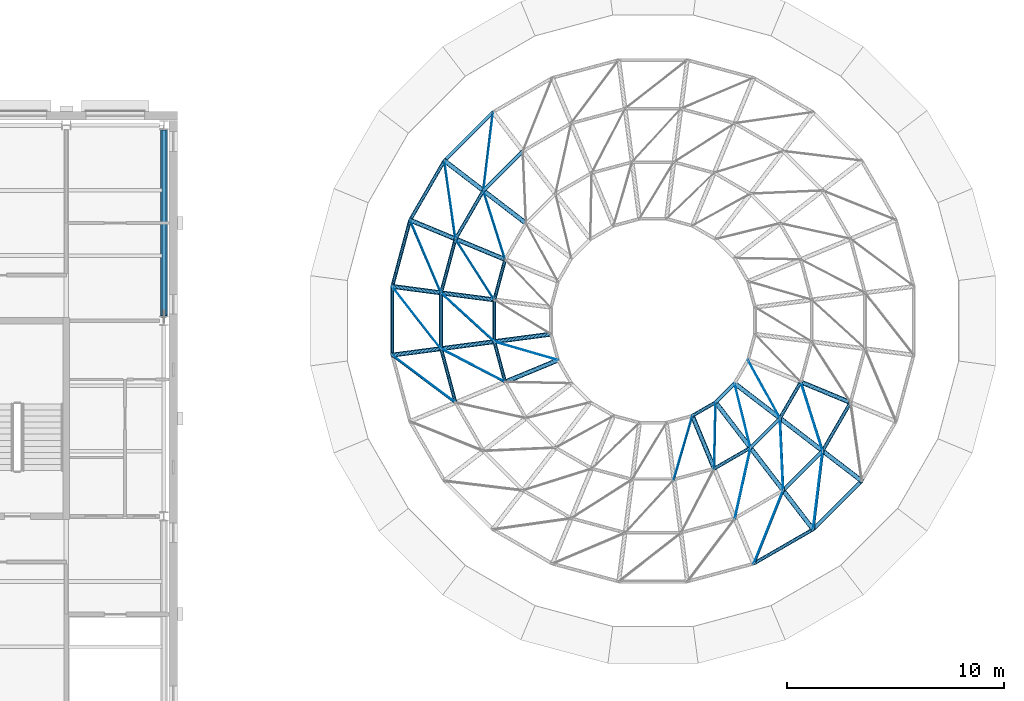
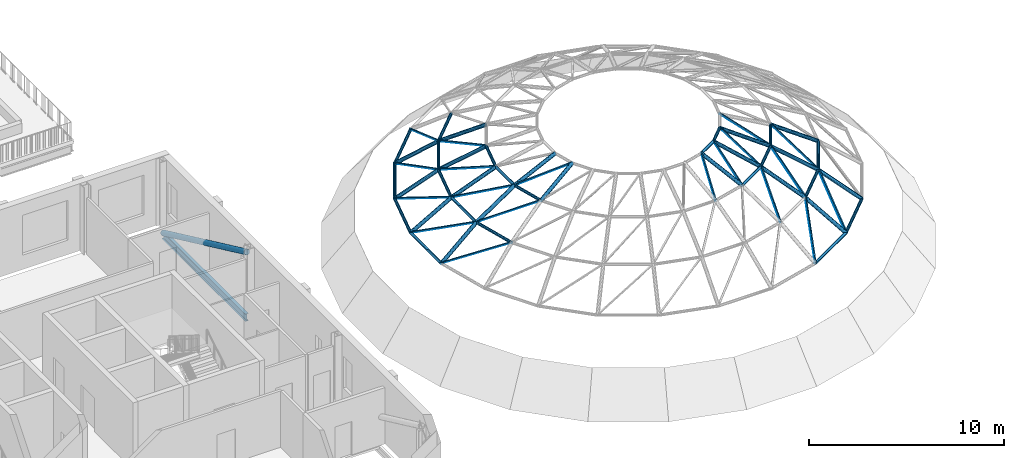
# One storey, part 4 of 33: 60 members, 19 beams.
"""IFC4 building model written with IfcOpenShell, lengths in metres."""

from ifc_helpers import new_model, si_unit, direction, frame, origin, origin_2d, place, context, subcontext, project, spatial, rectangle, circle, hollow_circle, i_section, extrude, material, material_profile, profile_set, type_object, element, save


model = new_model("IFC4")

# Units and contexts
model_context = context("Model", 3, precision=1e-05, world=origin(), true_north=direction((0.0, 1.0)))
body_context = subcontext(model_context, "Body", "Model", "MODEL_VIEW")
ifc_project = project(units=[si_unit("LENGTHUNIT", "METRE"), si_unit("AREAUNIT", "SQUARE_METRE"), si_unit("VOLUMEUNIT", "CUBIC_METRE"), si_unit("PLANEANGLEUNIT", "RADIAN"), si_unit("MASSUNIT", "GRAM", prefix="KILO")], contexts=[model_context])

# Site, building, storey
site_placement = place(None, origin())
site = spatial("IfcSite", under=ifc_project, at=site_placement, CompositionType="ELEMENT")
building_placement = place(site_placement, origin())
building = spatial("IfcBuilding", under=site, at=building_placement, Name="Hortulan Conservatory and Botanical Research Centre", CompositionType="ELEMENT")
storey_placement = place(building_placement, frame((0.0, 0.0, 19.199951171875)))
storey = spatial("IfcBuildingStorey", under=building, at=storey_placement, Name="L04", CompositionType="ELEMENT", Elevation=19.199951171875)

# Members
ifc_material_1 = material(Name="Steel Grade C350L0 (350 MPa, AS/NZS 1163)", Category="steel")
ifc_material_profile_1 = material_profile(ifc_material_1, hollow_circle(Radius=0.161865234375, WallThickness=0.009521484375, at=origin_2d()), Name="323.9x9.5CHS")
ifc_profile_set_1 = profile_set([ifc_material_profile_1], Name="Steel Grade C350L0 (350 MPa, AS/NZS 1163)")
member_type_1 = type_object("IfcMemberType", Name="Brace 323.9x9.5CHS", PredefinedType="BRACE", material=ifc_profile_set_1)
member_1_placement = place(storey_placement, frame((31.5, 26.7890625, -0.261474609375), z_axis=(0.0, -0.906191046553, 0.422868522293), x_axis=(1.0, 0.0, 0.0)))
element("IfcMember", 1, at=member_1_placement, inside=storey, type_object=member_type_1, Name="323.9x9.5CHS brace", PredefinedType="BRACE", context=body_context, shape_type="SweptSolid", body=[
    extrude(hollow_circle(Radius=0.161865234375, WallThickness=0.009521484375, at=origin_2d()), origin(), (0.0, 0.0, 1.0), 9.466064453125),
])
ifc_material_2 = material(Name="Steel Grade 300PLUS (AS/NZS 3679.1, 280 MPa minimum yield)", Category="steel")
ifc_material_profile_2 = material_profile(ifc_material_2, circle(Radius=0.011962890625, at=origin_2d()), Name="24 dia rod")
ifc_profile_set_2 = profile_set([ifc_material_profile_2], Name="Steel Grade 300PLUS (AS/NZS 3679.1, 280 MPa minimum yield)")
member_type_2 = type_object("IfcMemberType", Name="Dome Diagonal Rod 24 dia rod", PredefinedType="BRACE", material=ifc_profile_set_2)
for number, where, z_axis, x_axis, name in (
    (2, (46.634033203125, 27.599609375, 0.4365234375), (-0.110344688701, -0.907612681424, 0.405047244398), (0.992690467246, -0.120688177707, 0.0), "Dome diagonal rod row 5 panel 09"),
    (3, (44.400390625, 25.365966796875, 0.4365234375), (0.128389723869, -0.905233473745, 0.40505362215), (0.990091297131, 0.140425152108, 0.0), "Dome diagonal rod row 5 panel 10"),
):
    element("IfcMember", number, at=place(storey_placement, frame(where, z_axis=z_axis, x_axis=x_axis)), inside=storey, type_object=member_type_2, Name=name, PredefinedType="BRACE", context=body_context, shape_type="SweptSolid", body=[
        extrude(circle(Radius=0.011962890625, at=origin_2d()), origin(), (0.0, 0.0, 1.0), 3.97802734375),
    ])
for number, where, z_axis, x_axis, name in (
    (4, (42.821044921875, 22.630615234375, 0.4365234375), (0.35827138585, -0.841182919809, 0.405034454712), (0.920028012048, 0.39185259607, 0.0), "Dome diagonal rod row 5 panel 11"),
    (5, (42.00341796875, 19.579345703125, 0.4365234375), (0.563788980765, -0.719786759049, 0.405029636774), (0.787251404605, 0.616632164217, 0.0), "Dome diagonal rod row 5 panel 12"),
):
    element("IfcMember", number, at=place(storey_placement, frame(where, z_axis=z_axis, x_axis=x_axis)), inside=storey, type_object=member_type_2, Name=name, PredefinedType="BRACE", context=body_context, shape_type="SweptSolid", body=[
        extrude(circle(Radius=0.011962890625, at=origin_2d()), origin(), (0.0, 0.0, 1.0), 3.978271484375),
    ])
member_2_placement = place(storey_placement, frame((42.00341796875, 16.420654296875, 0.4365234375), z_axis=(0.730872378589, -0.549350926375, 0.405017439016), x_axis=(0.600837299522, 0.799371340181, 0.0)))
element("IfcMember", 6, at=member_2_placement, inside=storey, type_object=member_type_2, Name="Dome diagonal rod row 5 panel 13", PredefinedType="BRACE", context=body_context, shape_type="SweptSolid", body=[
    extrude(circle(Radius=0.011962890625, at=origin_2d()), origin(), (0.0, 0.0, 1.0), 3.978515625),
])
for number, where, z_axis, x_axis, name in (
    (7, (58.630615234375, 6.821044921875, 0.4365234375), (0.341465062104, 0.848139316729, 0.405044825645), (-0.927641101877, 0.373472871986, 0.0), "Dome diagonal rod row 5 panel 20"),
    (8, (61.365966796875, 8.400390625, 0.4365234375), (0.110344688701, 0.907612681424, 0.405047244398), (-0.992690467246, 0.120688177707, 0.0), "Dome diagonal rod row 5 panel 21"),
):
    element("IfcMember", number, at=place(storey_placement, frame(where, z_axis=z_axis, x_axis=x_axis)), inside=storey, type_object=member_type_2, Name=name, PredefinedType="BRACE", context=body_context, shape_type="SweptSolid", body=[
        extrude(circle(Radius=0.011962890625, at=origin_2d()), origin(), (0.0, 0.0, 1.0), 3.97802734375),
    ])
member_3_placement = place(storey_placement, frame((46.195068359375, 23.989013671875, 2.0478515625), z_axis=(0.281474260176, -0.891438110502, 0.355120171215), x_axis=(0.953592651353, 0.301099743086, 0.0)))
element("IfcMember", 9, at=member_3_placement, inside=storey, type_object=member_type_2, Name="Dome diagonal rod row 6 panel 10", PredefinedType="BRACE", context=body_context, shape_type="SweptSolid", body=[
    extrude(circle(Radius=0.011962890625, at=origin_2d()), origin(), (0.0, 0.0, 1.0), 3.55712890625),
])
member_4_placement = place(storey_placement, frame((44.9111328125, 21.764892578125, 2.0478515625), z_axis=(0.502512644571, -0.788260512259, 0.355142797843), x_axis=(0.8432288622, 0.537554728332, 0.0)))
element("IfcMember", 10, at=member_4_placement, inside=storey, type_object=member_type_2, Name="Dome diagonal rod row 6 panel 11", PredefinedType="BRACE", context=body_context, shape_type="SweptSolid", body=[
    extrude(circle(Radius=0.011962890625, at=origin_2d()), origin(), (0.0, 0.0, 1.0), 3.556884765625),
])
member_5_placement = place(storey_placement, frame((44.246337890625, 19.2841796875, 2.0478515625), z_axis=(0.689439455028, -0.631299747898, 0.355153299513), x_axis=(0.675325519699, 0.737519791221, 0.0)))
element("IfcMember", 11, at=member_5_placement, inside=storey, type_object=member_type_2, Name="Dome diagonal rod row 6 panel 12", PredefinedType="BRACE", context=body_context, shape_type="SweptSolid", body=[
    extrude(circle(Radius=0.011962890625, at=origin_2d()), origin(), (0.0, 0.0, 1.0), 3.556640625),
])
member_6_placement = place(storey_placement, frame((44.246337890625, 16.7158203125, 2.0478515625), z_axis=(0.82938424566, -0.431268825249, 0.355146411243), x_axis=(0.461343488851, 0.887221610025, 0.0)))
element("IfcMember", 12, at=member_6_placement, inside=storey, type_object=member_type_2, Name="Dome diagonal rod row 6 panel 13", PredefinedType="BRACE", context=body_context, shape_type="SweptSolid", body=[
    extrude(circle(Radius=0.011962890625, at=origin_2d()), origin(), (0.0, 0.0, 1.0), 3.556884765625),
])
member_7_placement = place(storey_placement, frame((57.764892578125, 8.9111328125, 2.0478515625), z_axis=(0.201945089314, 0.912734144324, 0.355154280118), x_axis=(-0.976387061882, 0.21602848282, 0.0)))
element("IfcMember", 13, at=member_7_placement, inside=storey, type_object=member_type_2, Name="Dome diagonal rod row 6 panel 20", PredefinedType="BRACE", context=body_context, shape_type="SweptSolid", body=[
    extrude(circle(Radius=0.011962890625, at=origin_2d()), origin(), (0.0, 0.0, 1.0), 3.556640625),
])
member_8_placement = place(storey_placement, frame((59.989013671875, 10.195068359375, 2.0478515625), z_axis=(-0.041183552662, 0.933905695873, 0.355139502458), x_axis=(-0.999029090563, -0.044055376623, 0.0)))
element("IfcMember", 14, at=member_8_placement, inside=storey, type_object=member_type_2, Name="Dome diagonal rod row 6 panel 21", PredefinedType="BRACE", context=body_context, shape_type="SweptSolid", body=[
    extrude(circle(Radius=0.011962890625, at=origin_2d()), origin(), (0.0, 0.0, 1.0), 3.556884765625),
])
member_9_placement = place(storey_placement, frame((61.804931640625, 12.010986328125, 2.0478515625), z_axis=(-0.281474260176, 0.891438110502, 0.355120171215), x_axis=(-0.953592651353, -0.301099743086, 0.0)))
element("IfcMember", 15, at=member_9_placement, inside=storey, type_object=member_type_2, Name="Dome diagonal rod row 6 panel 22", PredefinedType="BRACE", context=body_context, shape_type="SweptSolid", body=[
    extrude(circle(Radius=0.011962890625, at=origin_2d()), origin(), (0.0, 0.0, 1.0), 3.55712890625),
])
for number, where, z_axis, x_axis, name in (
    (16, (46.698486328125, 17.038818359375, 3.31103515625), (0.922011365203, -0.267626173194, 0.279770037457), (0.278757796425, 0.960361437654, 0.0), "Dome diagonal rod row 7 panel 13"),
    (17, (54.961181640625, 10.698486328125, 3.31103515625), (0.267626173194, 0.922011365203, 0.279770037457), (-0.960361437654, 0.278757796425, 0.0), "Dome diagonal rod row 7 panel 19"),
):
    element("IfcMember", number, at=place(storey_placement, frame(where, z_axis=z_axis, x_axis=x_axis)), inside=storey, type_object=member_type_2, Name=name, PredefinedType="BRACE", context=body_context, shape_type="SweptSolid", body=[
        extrude(circle(Radius=0.011962890625, at=origin_2d()), origin(), (0.0, 0.0, 1.0), 3.176513671875),
    ])
for number, where, z_axis, x_axis, name in (
    (18, (56.818115234375, 11.1962890625, 3.31103515625), (0.019907367786, 0.95985794945, 0.279779222934), (-0.999784997419, 0.02073545118, 0.0), "Dome diagonal rod row 7 panel 20"),
    (19, (58.483154296875, 12.157470703125, 3.31103515625), (-0.229284874012, 0.932281675123, 0.279784425546), (-0.971063171012, -0.238822775095, 0.0), "Dome diagonal rod row 7 panel 21"),
    (20, (59.842529296875, 13.516845703125, 3.31103515625), (-0.462719567764, 0.841196503257, 0.279783924694), (-0.876188861699, -0.481967922828, 0.0), "Dome diagonal rod row 7 panel 22"),
):
    element("IfcMember", number, at=place(storey_placement, frame(where, z_axis=z_axis, x_axis=x_axis)), inside=storey, type_object=member_type_2, Name=name, PredefinedType="BRACE", context=body_context, shape_type="SweptSolid", body=[
        extrude(circle(Radius=0.011962890625, at=origin_2d()), origin(), (0.0, 0.0, 1.0), 3.17626953125),
    ])
ifc_material_3 = material(Name="Bronze-finished aluminium", Category="aluminium")
ifc_material_profile_3 = material_profile(ifc_material_3, rectangle(XDim=0.050048828125, YDim=0.050048828125, at=origin_2d()), Name="Square bar 50x50")
ifc_profile_set_3 = profile_set([ifc_material_profile_3], Name="Bronze-finished aluminium")
member_type_3 = type_object("IfcMemberType", Name="Dome Glazing Bar 50x50", PredefinedType="MEMBER", material=ifc_profile_set_3)
for number, where, z_axis, x_axis, name in (
    (21, (46.606689453125, 27.63525390625, 0.49072265625), (-0.110362367104, -0.907600541437, 0.405069629953), (0.992687957089, -0.120708822591, 0.0), "Dome glazing bar row 5 panel 09"),
    (22, (44.36474609375, 25.393310546875, 0.49072265625), (0.128340334804, -0.905230422477, 0.405076092463), (0.990098740456, 0.140372661683, 0.0), "Dome glazing bar row 5 panel 10"),
):
    element("IfcMember", number, at=place(storey_placement, frame(where, z_axis=z_axis, x_axis=x_axis)), inside=storey, type_object=member_type_3, Name=name, PredefinedType="MEMBER", context=body_context, shape_type="SweptSolid", body=[
        extrude(rectangle(XDim=0.050048828125, YDim=0.050048828125, at=origin_2d()), origin(), (0.0, 0.0, 1.0), 3.992919921875),
    ])
member_10_placement = place(storey_placement, frame((42.779541015625, 22.647705078125, 0.49072265625), z_axis=(0.358282290024, -0.841168557363, 0.405054636759), x_axis=(0.920021300217, 0.391868354359, 0.0)))
element("IfcMember", 23, at=member_10_placement, inside=storey, type_object=member_type_3, Name="Dome glazing bar row 5 panel 11", PredefinedType="MEMBER", context=body_context, shape_type="SweptSolid", body=[
    extrude(rectangle(XDim=0.050048828125, YDim=0.050048828125, at=origin_2d()), origin(), (0.0, 0.0, 1.0), 3.9931640625),
])
for number, where, z_axis, x_axis, name in (
    (24, (41.958984375, 19.585205078125, 0.49072265625), (0.563791077974, -0.719764512517, 0.405066250036), (0.787241039049, 0.616645397645, 0.0), "Dome glazing bar row 5 panel 12"),
    (25, (41.958984375, 16.414794921875, 0.49072265625), (0.730834494432, -0.549364003386, 0.405068060371), (0.600866339912, 0.799349511516, 0.0), "Dome glazing bar row 5 panel 13"),
    (26, (58.647705078125, 6.779541015625, 0.49072265625), (0.341484848384, 0.848117516908, 0.405073790608), (-0.927630278138, 0.373499755129, 0.0), "Dome glazing bar row 5 panel 20"),
    (27, (61.393310546875, 8.36474609375, 0.49072265625), (0.110362367104, 0.907600541437, 0.405069629953), (-0.992687957089, 0.120708822591, 0.0), "Dome glazing bar row 5 panel 21"),
):
    element("IfcMember", number, at=place(storey_placement, frame(where, z_axis=z_axis, x_axis=x_axis)), inside=storey, type_object=member_type_3, Name=name, PredefinedType="MEMBER", context=body_context, shape_type="SweptSolid", body=[
        extrude(rectangle(XDim=0.050048828125, YDim=0.050048828125, at=origin_2d()), origin(), (0.0, 0.0, 1.0), 3.992919921875),
    ])
for number, where, z_axis, x_axis, name in (
    (28, (46.1669921875, 24.010498046875, 2.10595703125), (0.281429769193, -0.891410841229, 0.355223869061), (0.953603671773, 0.301064838833, 0.0), "Dome glazing bar row 6 panel 10"),
    (29, (44.87841796875, 21.7783203125, 2.10595703125), (0.502538095021, -0.788207885836, 0.355223579959), (0.843200251726, 0.537599605179, 0.0), "Dome glazing bar row 6 panel 11"),
    (30, (44.211181640625, 19.288818359375, 2.10595703125), (0.689449899735, -0.631249139426, 0.35522297185), (0.675290505525, 0.737551851159, 0.0), "Dome glazing bar row 6 panel 12"),
):
    element("IfcMember", number, at=place(storey_placement, frame(where, z_axis=z_axis, x_axis=x_axis)), inside=storey, type_object=member_type_3, Name=name, PredefinedType="MEMBER", context=body_context, shape_type="SweptSolid", body=[
        extrude(rectangle(XDim=0.050048828125, YDim=0.050048828125, at=origin_2d()), origin(), (0.0, 0.0, 1.0), 3.56982421875),
    ])
for number, where, z_axis, x_axis, name in (
    (31, (44.211181640625, 16.711181640625, 2.10595703125), (0.829336596238, -0.431287858806, 0.35523456052), (0.461380380738, 0.887202425758, 0.0), "Dome glazing bar row 6 panel 13"),
    (32, (57.7783203125, 8.87841796875, 2.10595703125), (0.20196352053, 0.912700027592, 0.355231468214), (-0.976381199364, 0.216054978023, 0.0), "Dome glazing bar row 6 panel 20"),
):
    element("IfcMember", number, at=place(storey_placement, frame(where, z_axis=z_axis, x_axis=x_axis)), inside=storey, type_object=member_type_3, Name=name, PredefinedType="MEMBER", context=body_context, shape_type="SweptSolid", body=[
        extrude(rectangle(XDim=0.050048828125, YDim=0.050048828125, at=origin_2d()), origin(), (0.0, 0.0, 1.0), 3.569580078125),
    ])
for number, where, z_axis, x_axis, name in (
    (33, (60.010498046875, 10.1669921875, 2.10595703125), (-0.041171206169, 0.933875116682, 0.35522133695), (-0.999029608316, -0.044043634142, 0.0), "Dome glazing bar row 6 panel 21"),
    (34, (61.8330078125, 11.989501953125, 2.10595703125), (-0.281429769193, 0.891410841229, 0.355223869061), (-0.953603671773, -0.301064838833, 0.0), "Dome glazing bar row 6 panel 22"),
):
    element("IfcMember", number, at=place(storey_placement, frame(where, z_axis=z_axis, x_axis=x_axis)), inside=storey, type_object=member_type_3, Name=name, PredefinedType="MEMBER", context=body_context, shape_type="SweptSolid", body=[
        extrude(rectangle(XDim=0.050048828125, YDim=0.050048828125, at=origin_2d()), origin(), (0.0, 0.0, 1.0), 3.56982421875),
    ])
for number, where, z_axis, x_axis, name in (
    (35, (46.673095703125, 17.035400390625, 3.37255859375), (0.922018199606, -0.267635755539, 0.279738345515), (0.278765095955, 0.960359318837, 0.0), "Dome glazing bar row 7 panel 13"),
    (36, (54.964599609375, 10.673095703125, 3.37255859375), (0.267635755539, 0.922018199606, 0.279738345515), (-0.960359318837, 0.278765095955, 0.0), "Dome glazing bar row 7 panel 19"),
):
    element("IfcMember", number, at=place(storey_placement, frame(where, z_axis=z_axis, x_axis=x_axis)), inside=storey, type_object=member_type_3, Name=name, PredefinedType="MEMBER", context=body_context, shape_type="SweptSolid", body=[
        extrude(rectangle(XDim=0.050048828125, YDim=0.050048828125, at=origin_2d()), origin(), (0.0, 0.0, 1.0), 3.187255859375),
    ])
for number, where, z_axis, x_axis, name in (
    (37, (56.828125, 11.17236328125, 3.37255859375), (0.01983785106, 0.959876252851, 0.279721359353), (-0.999786504039, 0.020662679903, 0.0), "Dome glazing bar row 7 panel 20"),
    (38, (58.498779296875, 12.136962890625, 3.37255859375), (-0.229247562797, 0.932309166176, 0.279723387683), (-0.971073815931, -0.238779488258, 0.0), "Dome glazing bar row 7 panel 21"),
):
    element("IfcMember", number, at=place(storey_placement, frame(where, z_axis=z_axis, x_axis=x_axis)), inside=storey, type_object=member_type_3, Name=name, PredefinedType="MEMBER", context=body_context, shape_type="SweptSolid", body=[
        extrude(rectangle(XDim=0.050048828125, YDim=0.050048828125, at=origin_2d()), origin(), (0.0, 0.0, 1.0), 3.1875),
    ])
member_11_placement = place(storey_placement, frame((59.863037109375, 13.501220703125, 3.37255859375), z_axis=(-0.462731755392, 0.84120512129, 0.279737853119), x_axis=(-0.876185586039, -0.481973877733, 0.0)))
element("IfcMember", 39, at=member_11_placement, inside=storey, type_object=member_type_3, Name="Dome glazing bar row 7 panel 22", PredefinedType="MEMBER", context=body_context, shape_type="SweptSolid", body=[
    extrude(rectangle(XDim=0.050048828125, YDim=0.050048828125, at=origin_2d()), origin(), (0.0, 0.0, 1.0), 3.187255859375),
])

# Beams
ifc_material_profile_4 = material_profile(ifc_material_1, hollow_circle(Radius=0.109619140625, WallThickness=0.00830078125, at=origin_2d()), Name="219.1x8.2CHS")
ifc_profile_set_4 = profile_set([ifc_material_profile_4], Name="Steel Grade C350L0 (350 MPa, AS/NZS 1163)")
beam_type_1 = type_object("IfcBeamType", Name="Dome Rib 219.1x8.2 CHS", PredefinedType="BEAM", material=ifc_profile_set_4)
for number, where, z_axis, x_axis, name in (
    (40, (44.400390625, 25.365966796875, 0.4365234375), (0.646201366495, -0.495793185558, 0.580183515014), (0.608719263835, 0.793385692987, 0.0), "Dome rib 10 segment 5"),
    (41, (46.195068359375, 23.989013671875, 2.0478515625), (0.706546398149, -0.542171956181, 0.454798589702), (0.608775448045, 0.79334258291, 0.0), "Dome rib 10 segment 6"),
):
    element("IfcBeam", number, at=place(storey_placement, frame(where, z_axis=z_axis, x_axis=x_axis)), inside=storey, type_object=beam_type_1, Name=name, PredefinedType="BEAM", context=body_context, shape_type="SweptSolid", body=[
        extrude(hollow_circle(Radius=0.109619140625, WallThickness=0.00830078125, at=origin_2d()), origin(), (0.0, 0.0, 1.0), 2.77734375),
    ])
beam_1_placement = place(storey_placement, frame((42.821044921875, 22.630615234375, 0.4365234375), z_axis=(0.752515905335, -0.311695059025, 0.580143087865), x_axis=(0.382675850727, 0.923882672892, 0.0)))
element("IfcBeam", 42, at=beam_1_placement, inside=storey, type_object=beam_type_1, Name="Dome rib 11 segment 5", PredefinedType="BEAM", context=body_context, shape_type="SweptSolid", body=[
    extrude(hollow_circle(Radius=0.109619140625, WallThickness=0.00830078125, at=origin_2d()), origin(), (0.0, 0.0, 1.0), 2.777587890625),
])
for number, where, z_axis, x_axis, name in (
    (43, (44.9111328125, 21.764892578125, 2.0478515625), (0.822767695454, -0.340886017411, 0.45480769832), (0.382764396992, 0.923845991708, 0.0), "Dome rib 11 segment 6"),
    (44, (42.00341796875, 19.579345703125, 0.4365234375), (0.807548421154, -0.106272563533, 0.580147989509), (0.130474054037, 0.991451724101, 0.0), "Dome rib 12 segment 5"),
    (45, (44.246337890625, 19.2841796875, 2.0478515625), (0.882948355144, -0.116302337102, 0.454836199673), (0.130592395224, 0.991436143334, 0.0), "Dome rib 12 segment 6"),
    (46, (42.00341796875, 16.420654296875, 0.4365234375), (0.807548421154, 0.106272563533, 0.580147989509), (-0.130474054037, 0.991451724101, 0.0), "Dome rib 13 segment 5"),
    (47, (44.246337890625, 16.7158203125, 2.0478515625), (0.882948355144, 0.116302337102, 0.454836199673), (-0.130592395224, 0.991436143334, 0.0), "Dome rib 13 segment 6"),
):
    element("IfcBeam", number, at=place(storey_placement, frame(where, z_axis=z_axis, x_axis=x_axis)), inside=storey, type_object=beam_type_1, Name=name, PredefinedType="BEAM", context=body_context, shape_type="SweptSolid", body=[
        extrude(hollow_circle(Radius=0.109619140625, WallThickness=0.00830078125, at=origin_2d()), origin(), (0.0, 0.0, 1.0), 2.77734375),
    ])
beam_2_placement = place(storey_placement, frame((46.698486328125, 17.038818359375, 3.31103515625), z_axis=(0.939343064194, 0.123581580262, 0.319940933252), x_axis=(-0.130437713774, 0.991456505766, 0.0)))
element("IfcBeam", 48, at=beam_2_placement, inside=storey, type_object=beam_type_1, Name="Dome rib 13 segment 7", PredefinedType="BEAM", context=body_context, shape_type="SweptSolid", body=[
    extrude(hollow_circle(Radius=0.109619140625, WallThickness=0.00830078125, at=origin_2d()), origin(), (0.0, 0.0, 1.0), 2.777587890625),
])
for number, where, z_axis, x_axis, name in (
    (49, (47.1962890625, 15.181884765625, 3.31103515625), (0.875312923744, 0.362537962993, 0.319989860644), (-0.382657736682, 0.923890175593, 0.0), "Dome rib 14 segment 7"),
    (50, (56.818115234375, 11.1962890625, 3.31103515625), (-0.362537962993, 0.875312923744, 0.319989860644), (-0.923890175593, -0.382657736682, 0.0), "Dome rib 20 segment 7"),
):
    element("IfcBeam", number, at=place(storey_placement, frame(where, z_axis=z_axis, x_axis=x_axis)), inside=storey, type_object=beam_type_1, Name=name, PredefinedType="BEAM", context=body_context, shape_type="SweptSolid", body=[
        extrude(hollow_circle(Radius=0.109619140625, WallThickness=0.00830078125, at=origin_2d()), origin(), (0.0, 0.0, 1.0), 2.777099609375),
    ])
for number, where, z_axis, x_axis, name in (
    (51, (61.365966796875, 8.400390625, 0.4365234375), (-0.495793185558, 0.646201366495, 0.580183515014), (-0.793385692987, -0.608719263835, 0.0), "Dome rib 21 segment 5"),
    (52, (59.989013671875, 10.195068359375, 2.0478515625), (-0.542171956181, 0.706546398149, 0.454798589702), (-0.79334258291, -0.608775448045, 0.0), "Dome rib 21 segment 6"),
    (53, (58.483154296875, 12.157470703125, 3.31103515625), (-0.576734833192, 0.751662788999, 0.319968723185), (-0.793371849725, -0.608737306285, 0.0), "Dome rib 21 segment 7"),
    (54, (63.599609375, 10.634033203125, 0.4365234375), (-0.646201366495, 0.495793185558, 0.580183515014), (-0.608719263835, -0.793385692987, 0.0), "Dome rib 22 segment 5"),
    (55, (61.804931640625, 12.010986328125, 2.0478515625), (-0.706546398149, 0.542171956181, 0.454798589702), (-0.608775448045, -0.79334258291, 0.0), "Dome rib 22 segment 6"),
    (56, (59.842529296875, 13.516845703125, 3.31103515625), (-0.751662788999, 0.576734833192, 0.319968723185), (-0.608737306285, -0.793371849725, 0.0), "Dome rib 22 segment 7"),
    (57, (63.0888671875, 14.235107421875, 2.0478515625), (-0.822767695454, 0.340886017411, 0.45480769832), (-0.382764396992, -0.923845991708, 0.0), "Dome rib 23 segment 6"),
):
    element("IfcBeam", number, at=place(storey_placement, frame(where, z_axis=z_axis, x_axis=x_axis)), inside=storey, type_object=beam_type_1, Name=name, PredefinedType="BEAM", context=body_context, shape_type="SweptSolid", body=[
        extrude(hollow_circle(Radius=0.109619140625, WallThickness=0.00830078125, at=origin_2d()), origin(), (0.0, 0.0, 1.0), 2.77734375),
    ])

# Members
ifc_material_profile_5 = material_profile(ifc_material_1, hollow_circle(Radius=0.084228515625, WallThickness=0.00634765625, at=origin_2d()), Name="168.3x6.4CHS")
ifc_profile_set_5 = profile_set([ifc_material_profile_5], Name="Steel Grade C350L0 (350 MPa, AS/NZS 1163)")
member_type_4 = type_object("IfcMemberType", Name="Dome Ring 168.3x6.4 CHS", PredefinedType="PURLIN", material=ifc_profile_set_5)
member_12_placement = place(storey_placement, frame((46.634033203125, 27.599609375, 0.4365234375), z_axis=(-0.707106781187, -0.707106781187, 0.0), x_axis=(0.707106781187, -0.707106781187, 0.0)))
element("IfcMember", 58, at=member_12_placement, inside=storey, type_object=member_type_4, Name="Dome ring 4 chord 09", PredefinedType="PURLIN", context=body_context, shape_type="SweptSolid", body=[
    extrude(hollow_circle(Radius=0.084228515625, WallThickness=0.00634765625, at=origin_2d()), origin(), (0.0, 0.0, 1.0), 3.158935546875),
])
member_13_placement = place(storey_placement, frame((44.400390625, 25.365966796875, 0.4365234375), z_axis=(-0.500021309151, -0.866013100591, 0.0), x_axis=(0.866013100591, -0.500021309151, 0.0)))
element("IfcMember", 59, at=member_13_placement, inside=storey, type_object=member_type_4, Name="Dome ring 4 chord 10", PredefinedType="PURLIN", context=body_context, shape_type="SweptSolid", body=[
    extrude(hollow_circle(Radius=0.084228515625, WallThickness=0.00634765625, at=origin_2d()), origin(), (0.0, 0.0, 1.0), 3.158447265625),
])
member_14_placement = place(storey_placement, frame((42.821044921875, 22.630615234375, 0.4365234375), z_axis=(-0.258831375211, -0.965922522362, 0.0), x_axis=(0.965922522362, -0.258831375211, 0.0)))
element("IfcMember", 60, at=member_14_placement, inside=storey, type_object=member_type_4, Name="Dome ring 4 chord 11", PredefinedType="PURLIN", context=body_context, shape_type="SweptSolid", body=[
    extrude(hollow_circle(Radius=0.084228515625, WallThickness=0.00634765625, at=origin_2d()), origin(), (0.0, 0.0, 1.0), 3.158935546875),
])
member_15_placement = place(storey_placement, frame((42.00341796875, 19.579345703125, 0.4365234375), z_axis=(0.0, -1.0, 0.0), x_axis=(1.0, 0.0, 0.0)))
element("IfcMember", 61, at=member_15_placement, inside=storey, type_object=member_type_4, Name="Dome ring 4 chord 12", PredefinedType="PURLIN", context=body_context, shape_type="SweptSolid", body=[
    extrude(hollow_circle(Radius=0.084228515625, WallThickness=0.00634765625, at=origin_2d()), origin(), (0.0, 0.0, 1.0), 3.15869140625),
])
member_16_placement = place(storey_placement, frame((58.630615234375, 6.821044921875, 0.4365234375), z_axis=(0.866013100591, 0.500021309151, 0.0), x_axis=(-0.500021309151, 0.866013100591, 0.0)))
element("IfcMember", 62, at=member_16_placement, inside=storey, type_object=member_type_4, Name="Dome ring 4 chord 20", PredefinedType="PURLIN", context=body_context, shape_type="SweptSolid", body=[
    extrude(hollow_circle(Radius=0.084228515625, WallThickness=0.00634765625, at=origin_2d()), origin(), (0.0, 0.0, 1.0), 3.158447265625),
])
member_17_placement = place(storey_placement, frame((61.365966796875, 8.400390625, 0.4365234375), z_axis=(0.707106781187, 0.707106781187, 0.0), x_axis=(-0.707106781187, 0.707106781187, 0.0)))
element("IfcMember", 63, at=member_17_placement, inside=storey, type_object=member_type_4, Name="Dome ring 4 chord 21", PredefinedType="PURLIN", context=body_context, shape_type="SweptSolid", body=[
    extrude(hollow_circle(Radius=0.084228515625, WallThickness=0.00634765625, at=origin_2d()), origin(), (0.0, 0.0, 1.0), 3.158935546875),
])
for number, where, z_axis, x_axis, name in (
    (64, (48.010986328125, 25.804931640625, 2.0478515625), (-0.707106781187, -0.707106781187, 0.0), (0.707106781187, -0.707106781187, 0.0), "Dome ring 5 chord 09"),
    (65, (46.195068359375, 23.989013671875, 2.0478515625), (-0.499952873616, -0.866052610505, 0.0), (0.866052610505, -0.499952873616, 0.0), "Dome ring 5 chord 10"),
):
    element("IfcMember", number, at=place(storey_placement, frame(where, z_axis=z_axis, x_axis=x_axis)), inside=storey, type_object=member_type_4, Name=name, PredefinedType="PURLIN", context=body_context, shape_type="SweptSolid", body=[
        extrude(hollow_circle(Radius=0.084228515625, WallThickness=0.00634765625, at=origin_2d()), origin(), (0.0, 0.0, 1.0), 2.568115234375),
    ])
for number, where, z_axis, x_axis, name in (
    (66, (44.9111328125, 21.764892578125, 2.0478515625), (-0.258851706779, -0.965917074027, 0.0), (0.965917074027, -0.258851706779, 0.0), "Dome ring 5 chord 11"),
    (67, (44.246337890625, 19.2841796875, 2.0478515625), (0.0, -1.0, 0.0), (1.0, 0.0, 0.0), "Dome ring 5 chord 12"),
    (68, (44.246337890625, 16.7158203125, 2.0478515625), (0.258851706779, -0.965917074027, 0.0), (0.965917074027, 0.258851706779, 0.0), "Dome ring 5 chord 13"),
):
    element("IfcMember", number, at=place(storey_placement, frame(where, z_axis=z_axis, x_axis=x_axis)), inside=storey, type_object=member_type_4, Name=name, PredefinedType="PURLIN", context=body_context, shape_type="SweptSolid", body=[
        extrude(hollow_circle(Radius=0.084228515625, WallThickness=0.00634765625, at=origin_2d()), origin(), (0.0, 0.0, 1.0), 2.568359375),
    ])
for number, where, z_axis, x_axis, name in (
    (69, (59.989013671875, 10.195068359375, 2.0478515625), (0.707106781187, 0.707106781187, 0.0), (-0.707106781187, 0.707106781187, 0.0), "Dome ring 5 chord 21"),
    (70, (61.804931640625, 12.010986328125, 2.0478515625), (0.499952873616, 0.866052610505, 0.0), (-0.866052610505, 0.499952873616, 0.0), "Dome ring 5 chord 22"),
):
    element("IfcMember", number, at=place(storey_placement, frame(where, z_axis=z_axis, x_axis=x_axis)), inside=storey, type_object=member_type_4, Name=name, PredefinedType="PURLIN", context=body_context, shape_type="SweptSolid", body=[
        extrude(hollow_circle(Radius=0.084228515625, WallThickness=0.00634765625, at=origin_2d()), origin(), (0.0, 0.0, 1.0), 2.568115234375),
    ])
member_18_placement = place(storey_placement, frame((47.1962890625, 20.818115234375, 3.31103515625), z_axis=(-0.258934973361, -0.965894755949, 0.0), x_axis=(0.965894755949, -0.258934973361, 0.0)))
element("IfcMember", 71, at=member_18_placement, inside=storey, type_object=member_type_4, Name="Dome ring 6 chord 11", PredefinedType="PURLIN", context=body_context, shape_type="SweptSolid", body=[
    extrude(hollow_circle(Radius=0.084228515625, WallThickness=0.00634765625, at=origin_2d()), origin(), (0.0, 0.0, 1.0), 1.922607421875),
])
member_19_placement = place(storey_placement, frame((46.698486328125, 18.961181640625, 3.31103515625), z_axis=(0.0, -1.0, 0.0), x_axis=(1.0, 0.0, 0.0)))
element("IfcMember", 72, at=member_19_placement, inside=storey, type_object=member_type_4, Name="Dome ring 6 chord 12", PredefinedType="PURLIN", context=body_context, shape_type="SweptSolid", body=[
    extrude(hollow_circle(Radius=0.084228515625, WallThickness=0.00634765625, at=origin_2d()), origin(), (0.0, 0.0, 1.0), 1.92236328125),
])
for number, where, z_axis, x_axis, name in (
    (73, (46.698486328125, 17.038818359375, 3.31103515625), (0.258934973361, -0.965894755949, 0.0), (0.965894755949, 0.258934973361, 0.0), "Dome ring 6 chord 13"),
    (74, (56.818115234375, 11.1962890625, 3.31103515625), (0.866054481515, 0.499949632511, 0.0), (-0.499949632511, 0.866054481515, 0.0), "Dome ring 6 chord 20"),
):
    element("IfcMember", number, at=place(storey_placement, frame(where, z_axis=z_axis, x_axis=x_axis)), inside=storey, type_object=member_type_4, Name=name, PredefinedType="PURLIN", context=body_context, shape_type="SweptSolid", body=[
        extrude(hollow_circle(Radius=0.084228515625, WallThickness=0.00634765625, at=origin_2d()), origin(), (0.0, 0.0, 1.0), 1.922607421875),
    ])
member_20_placement = place(storey_placement, frame((58.483154296875, 12.157470703125, 3.31103515625), z_axis=(0.707106781187, 0.707106781187, 0.0), x_axis=(-0.707106781187, 0.707106781187, 0.0)))
element("IfcMember", 75, at=member_20_placement, inside=storey, type_object=member_type_4, Name="Dome ring 6 chord 21", PredefinedType="PURLIN", context=body_context, shape_type="SweptSolid", body=[
    extrude(hollow_circle(Radius=0.084228515625, WallThickness=0.00634765625, at=origin_2d()), origin(), (0.0, 0.0, 1.0), 1.92236328125),
])
member_21_placement = place(storey_placement, frame((59.842529296875, 13.516845703125, 3.31103515625), z_axis=(0.499949632511, 0.866054481515, 0.0), x_axis=(-0.866054481515, 0.499949632511, 0.0)))
element("IfcMember", 76, at=member_21_placement, inside=storey, type_object=member_type_4, Name="Dome ring 6 chord 22", PredefinedType="PURLIN", context=body_context, shape_type="SweptSolid", body=[
    extrude(hollow_circle(Radius=0.084228515625, WallThickness=0.00634765625, at=origin_2d()), origin(), (0.0, 0.0, 1.0), 1.922607421875),
])
member_22_placement = place(storey_placement, frame((55.811279296875, 13.627197265625, 4.19970703125), z_axis=(0.865984868088, 0.500070203315, 0.0), x_axis=(-0.500070203315, 0.865984868088, 0.0)))
element("IfcMember", 77, at=member_22_placement, inside=storey, type_object=member_type_4, Name="Dome ring 7 chord 20", PredefinedType="PURLIN", context=body_context, shape_type="SweptSolid", body=[
    extrude(hollow_circle(Radius=0.084228515625, WallThickness=0.00634765625, at=origin_2d()), origin(), (0.0, 0.0, 1.0), 1.235595703125),
])
member_23_placement = place(storey_placement, frame((56.88134765625, 14.2451171875, 4.19970703125), z_axis=(0.707106781187, 0.707106781187, 0.0), x_axis=(-0.707106781187, 0.707106781187, 0.0)))
element("IfcMember", 78, at=member_23_placement, inside=storey, type_object=member_type_4, Name="Dome ring 7 chord 21", PredefinedType="PURLIN", context=body_context, shape_type="SweptSolid", body=[
    extrude(hollow_circle(Radius=0.084228515625, WallThickness=0.00634765625, at=origin_2d()), origin(), (0.0, 0.0, 1.0), 1.2353515625),
])

# Beam
ifc_material_profile_6 = material_profile(ifc_material_2, i_section(OverallWidth=0.19091796875, OverallDepth=0.4599609375, WebThickness=0.010009765625, FlangeThickness=0.01611328125, FilletRadius=0.011474609375, at=origin_2d()), Name="460UB82.1")
ifc_profile_set_6 = profile_set([ifc_material_profile_6], Name="Steel Grade 300PLUS (AS/NZS 3679.1, 280 MPa minimum yield)")
beam_type_2 = type_object("IfcBeamType", Name="Primary Beam 460UB82.1", PredefinedType="BEAM", material=ifc_profile_set_6)
beam_3_placement = place(storey_placement, frame((31.5, 18.2109375, -0.35986328125), z_axis=(0.0, 1.0, 0.0), x_axis=(-1.0, 0.0, 0.0)))
element("IfcBeam", 79, at=beam_3_placement, inside=storey, type_object=beam_type_2, Name="460UB82.1 girder", PredefinedType="BEAM", context=body_context, shape_type="SweptSolid", body=[
    extrude(i_section(OverallWidth=0.19091796875, OverallDepth=0.4599609375, WebThickness=0.010009765625, FlangeThickness=0.01611328125, FilletRadius=0.011474609375, at=origin_2d()), origin(), (0.0, 0.0, 1.0), 8.578125),
])

save(model, "model.ifc")
